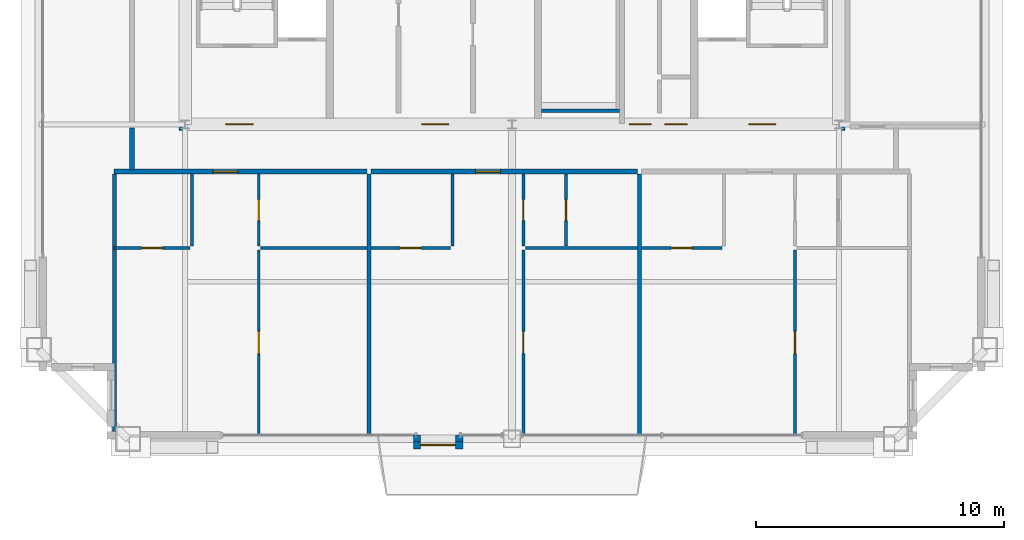
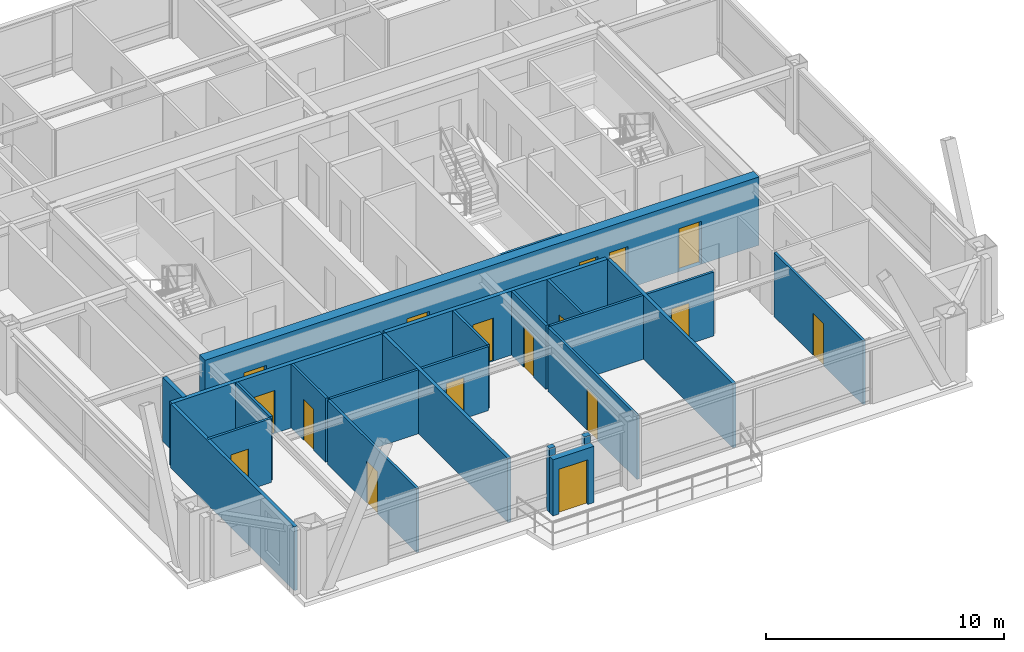
# One storey, part 30 of 35: 24 walls, 17 doors, 17 openings.
"""IFC4 building model written with IfcOpenShell, lengths in metres."""

import ifcopenshell
import ifcopenshell.guid

model = None  # the IFC model being written
_history = None  # IfcOwnerHistory: only IFC2X3 demands one
_inside = {}  # id of a spatial element -> (the spatial element, [elements in it])
_under = {}  # id of a project, library or spatial element -> (it, [spatial elements below it])
_declared = {}  # id of a project -> (the project, [libraries it declares])
_typed = {}  # id of a type object -> (the type object, [elements of that type])
_made_of = {}  # id of a material, layer set ... -> (it, [elements and type objects made of it])


def new_model(schema):
    """Start an empty IFC model of exactly this schema.

    Asked for "IFC4X3", IfcOpenShell would pick the latest addendum, in which some entities
    have other attributes; the version numbers below select the first issue.
    IFC2X3 requires an IfcOwnerHistory on every rooted entity: one is made here for all.
    """
    global model, _history
    if schema == "IFC4X3":
        model = ifcopenshell.file(schema_version=(4, 3, 0, 0))
    else:
        model = ifcopenshell.file(schema=schema)
    _inside.clear()
    _under.clear()
    _declared.clear()
    _typed.clear()
    _made_of.clear()
    _history = None
    if model.schema == "IFC2X3":
        org = make("IfcOrganization", Name="unknown")
        user = make(
            "IfcPersonAndOrganization",
            ThePerson=make("IfcPerson", FamilyName="unknown"),
            TheOrganization=org,
        )
        app = make(
            "IfcApplication",
            ApplicationDeveloper=org,
            Version="unknown",
            ApplicationFullName="unknown",
            ApplicationIdentifier="unknown",
        )
        _history = make(
            "IfcOwnerHistory",
            OwningUser=user,
            OwningApplication=app,
            ChangeAction="ADDED",
            CreationDate=0,
        )
    return model


def make(cls, **values):
    """One entity of the class cls with the attributes given. An attribute that is None is left unset."""
    return model.create_entity(
        cls, **{name: value for name, value in values.items() if value is not None}
    )


def rooted(cls, **values):
    """An entity with a GlobalId (a new one), such as an element, a storey or a relation."""
    return make(cls, GlobalId=ifcopenshell.guid.new(), OwnerHistory=_history, **values)


def si_unit(unit_type, name, prefix=None):
    """IfcSIUnit, for example si_unit("LENGTHUNIT", "METRE", prefix="MILLI")."""
    return make("IfcSIUnit", UnitType=unit_type, Prefix=prefix, Name=name)


def assignment(units):
    """IfcUnitAssignment: the units of a project."""
    return None if units is None else make("IfcUnitAssignment", Units=units)


def point(xyz):
    """IfcCartesianPoint."""
    return None if xyz is None else make("IfcCartesianPoint", Coordinates=xyz)


def direction(xyz):
    """IfcDirection."""
    return None if xyz is None else make("IfcDirection", DirectionRatios=xyz)


def frame(location, z_axis=None, x_axis=None):
    """IfcAxis2Placement3D, a coordinate frame: its origin and axes. An axis left out is left unset."""
    return make(
        "IfcAxis2Placement3D",
        Location=point(location),
        Axis=direction(z_axis),
        RefDirection=direction(x_axis),
    )


def frame_2d(location, x_axis=None):
    """IfcAxis2Placement2D, a coordinate frame in the plane: its origin and x axis."""
    return make(
        "IfcAxis2Placement2D", Location=point(location), RefDirection=direction(x_axis)
    )


def origin():
    """The frame at (0, 0, 0) with its axes left unset."""
    return frame((0.0, 0.0, 0.0))


def place(relative_to, where):
    """IfcLocalPlacement: puts the frame where relative to a parent placement (None: the world)."""
    return make(
        "IfcLocalPlacement", PlacementRelTo=relative_to, RelativePlacement=where
    )


def context(
    kind, dimensions, precision=None, world=None, true_north=None, identifier=None
):
    """IfcGeometricRepresentationContext, for example the 3D "Model" context."""
    return make(
        "IfcGeometricRepresentationContext",
        ContextIdentifier=identifier,
        ContextType=kind,
        CoordinateSpaceDimension=dimensions,
        Precision=precision,
        WorldCoordinateSystem=world,
        TrueNorth=true_north,
    )


def subcontext(parent, identifier, kind, view, scale=None):
    """IfcGeometricRepresentationSubContext, for example "Body" below "Model"."""
    return make(
        "IfcGeometricRepresentationSubContext",
        ContextIdentifier=identifier,
        ContextType=kind,
        ParentContext=parent,
        TargetScale=scale,
        TargetView=view,
    )


def project(units=None, contexts=None):
    """IfcProject with its units and contexts."""
    return rooted(
        "IfcProject",
        Name="project",
        RepresentationContexts=contexts,
        UnitsInContext=assignment(units),
    )


def spatial(cls, under=None, at=None, **own):
    """A site, building, storey or space (cls), placed at a placement, below another one or the project."""
    s = rooted(cls, ObjectPlacement=at, **own)
    if under is not None:
        _under.setdefault(under.id(), (under, []))[1].append(s)
    return s


def profile(cls, at=None, kind="AREA", **sizes):
    """A parametric profile (cls). Its sizes go by their IFC names, for example OverallWidth=200.0."""
    return make(cls, ProfileType=kind, Position=at, **sizes)


def rectangle(**sizes):
    """IfcRectangleProfileDef."""
    return profile("IfcRectangleProfileDef", **sizes)


def extrude(swept, where, along, depth):
    """IfcExtrudedAreaSolid: the profile swept, set in the frame where, extruded along a direction by depth."""
    return make(
        "IfcExtrudedAreaSolid",
        SweptArea=swept,
        Position=where,
        ExtrudedDirection=direction(along),
        Depth=depth,
    )


def shape(context_of_items, identifier, shape_type, items):
    """IfcShapeRepresentation: the items that make up one representation, for example the "Body"."""
    return make(
        "IfcShapeRepresentation",
        ContextOfItems=context_of_items,
        RepresentationIdentifier=identifier,
        RepresentationType=shape_type,
        Items=items,
    )


def source(mapping_origin, context_of_items, identifier, shape_type, items):
    """IfcRepresentationMap: a shape defined once, which mapped items show again and again."""
    return make(
        "IfcRepresentationMap",
        MappingOrigin=mapping_origin,
        MappedRepresentation=shape(context_of_items, identifier, shape_type, items),
    )


def transform(
    local_origin,
    x_axis=None,
    y_axis=None,
    z_axis=None,
    scale=None,
    scale2=None,
    scale3=None,
    uniform=True,
):
    """IfcCartesianTransformationOperator3D, or its non-uniform kind. x_axis, y_axis, z_axis: its Axis1, 2, 3."""
    if uniform:
        return make(
            "IfcCartesianTransformationOperator3D",
            Axis1=direction(x_axis),
            Axis2=direction(y_axis),
            LocalOrigin=point(local_origin),
            Scale=scale,
            Axis3=direction(z_axis),
        )
    return make(
        "IfcCartesianTransformationOperator3DnonUniform",
        Axis1=direction(x_axis),
        Axis2=direction(y_axis),
        LocalOrigin=point(local_origin),
        Scale=scale,
        Axis3=direction(z_axis),
        Scale2=scale2,
        Scale3=scale3,
    )


def mapped(mapping_source, mapping_target):
    """IfcMappedItem: shows the shape of a source again, moved by a transform."""
    return make(
        "IfcMappedItem", MappingSource=mapping_source, MappingTarget=mapping_target
    )


def material(Name=None, Category=None):
    """IfcMaterial."""
    return make("IfcMaterial", Name=Name, Category=Category)


def layer(
    of_material, thickness, ventilated=None, Name=None, Category=None, Priority=None
):
    """IfcMaterialLayer: one layer of a wall or slab, of a material (None: an air gap)."""
    return make(
        "IfcMaterialLayer",
        Material=of_material,
        LayerThickness=thickness,
        IsVentilated=ventilated,
        Name=Name,
        Category=Category,
        Priority=Priority,
    )


def layer_set(layers, Name=None):
    """IfcMaterialLayerSet."""
    return make("IfcMaterialLayerSet", MaterialLayers=layers, LayerSetName=Name)


def made_of(thing, what):
    """Note that an element or type object is made of a material, layer set ...; save() writes the relation."""
    if what is not None:
        _made_of.setdefault(what.id(), (what, []))[1].append(thing)
    return thing


def type_object(cls, material=None, **own):
    """A type object (cls), such as IfcWallType, which elements share."""
    return made_of(rooted(cls, **own), material)


def element(
    cls,
    number,
    at=None,
    inside=None,
    cuts=None,
    type_object=None,
    material=None,
    context=None,
    identifier="Body",
    shape_type=None,
    held_by="IfcProductDefinitionShape",
    body=None,
    shapes=None,
    **own,
):
    """One element of the class cls, such as IfcWall. Its Tag is "e" and its number.

    at: its placement. inside: the storey or other place that contains it. cuts: it is an
    opening in that element (IfcRelVoidsElement). A single representation is given by context,
    identifier, shape_type and body (its items); several are given by shapes. held_by: the class
    of the entity that holds the representations. save() writes the other relations.
    """
    e = rooted(cls, Tag="e%d" % number, ObjectPlacement=at, **own)
    if body is not None:
        shapes = [shape(context, identifier, shape_type, body)]
    if shapes is not None:
        e.Representation = make(held_by, Representations=shapes)
    if inside is not None:
        _inside.setdefault(inside.id(), (inside, []))[1].append(e)
    if cuts is not None:
        rooted(
            "IfcRelVoidsElement", RelatingBuildingElement=cuts, RelatedOpeningElement=e
        )
    if type_object is not None:
        _typed.setdefault(type_object.id(), (type_object, []))[1].append(e)
    return made_of(e, material)


def fill(opening, filler):
    """IfcRelFillsElement: the door or window that sits in an opening."""
    return rooted(
        "IfcRelFillsElement",
        RelatingOpeningElement=opening,
        RelatedBuildingElement=filler,
    )


def aggregate(whole, parts):
    """IfcRelAggregates: a whole, such as a stair, and the parts it consists of."""
    return rooted("IfcRelAggregates", RelatingObject=whole, RelatedObjects=parts)


def save(model, path):
    """Write the relations noted so far, then the file.

    IfcRelAggregates (storeys below a building ...), IfcRelContainedInSpatialStructure (elements
    in a storey), IfcRelDefinesByType, IfcRelAssociatesMaterial and IfcRelDeclares: one each for
    every whole, place, type object, material and project.
    """
    for whole, parts in _under.values():
        aggregate(whole, parts)
    for where, things in _inside.values():
        rooted(
            "IfcRelContainedInSpatialStructure",
            RelatedElements=things,
            RelatingStructure=where,
        )
    for kind, things in _typed.values():
        rooted("IfcRelDefinesByType", RelatedObjects=things, RelatingType=kind)
    for what, things in _made_of.values():
        rooted("IfcRelAssociatesMaterial", RelatedObjects=things, RelatingMaterial=what)
    for by, libraries in _declared.values():
        rooted("IfcRelDeclares", RelatingContext=by, RelatedDefinitions=libraries)
    model.write(path)


model = new_model("IFC4")

# Units and contexts
model_context = context("Model", 3, precision=1e-05, world=origin(), true_north=direction((0.0, 1.0)))
body_context = subcontext(model_context, "Body", "Model", "MODEL_VIEW")
ifc_project = project(units=[si_unit("LENGTHUNIT", "METRE"), si_unit("AREAUNIT", "SQUARE_METRE"), si_unit("VOLUMEUNIT", "CUBIC_METRE"), si_unit("PLANEANGLEUNIT", "RADIAN"), si_unit("MASSUNIT", "GRAM", prefix="KILO"), si_unit("THERMODYNAMICTEMPERATUREUNIT", "KELVIN"), si_unit("POWERUNIT", "WATT")], contexts=[model_context])

# Site, building, storey
site_placement = place(None, origin())
site = spatial("IfcSite", under=ifc_project, at=site_placement, CompositionType="ELEMENT")
building_placement = place(site_placement, origin())
building = spatial("IfcBuilding", under=site, at=building_placement, Name="Yuzanri Waterfront Tower", CompositionType="ELEMENT")
storey_placement = place(building_placement, frame((0.0, 0.0, 314.699951171875)))
storey = spatial("IfcBuildingStorey", under=building, at=storey_placement, Name="L84", CompositionType="ELEMENT", Elevation=314.699951171875)

# Wall, opening, door
ifc_material_1 = material(Name="Moisture-Resistant Gypsum Stud Wall", Category="gypsum")
ifc_layer_1 = layer(ifc_material_1, 0.1201171875)
ifc_layer_set_1 = layer_set([ifc_layer_1], Name="Moisture-Resistant Gypsum Stud Wall")
wall_type_1 = type_object("IfcWallType", Name="Bathroom and Kitchen Wet Partition 120", PredefinedType="PARTITIONING", material=ifc_layer_set_1)
wall_1_placement = place(storey_placement, frame((20.93994140625, 14.409912109375, 0.0), z_axis=(0.0, 0.0, 1.0), x_axis=(1.0, 0.0, 0.0)))
wall_1 = element("IfcWall", 1, at=wall_1_placement, inside=storey, type_object=wall_type_1, Name="L84 Partition UW-L84-HS1-SUB-1-S", PredefinedType="PARTITIONING", context=body_context, shape_type="SweptSolid", body=[
    extrude(rectangle(XDim=3.05908203125, YDim=0.1201171875, at=frame_2d((1.529541015625, 0.0))), origin(), (0.0, 0.0, 1.0), 3.280029296875),
])
opening_1_placement = place(wall_1_placement, frame((1.1044921875, 0.0, 0.0)))
opening_1 = element("IfcOpeningElement", 2, at=opening_1_placement, cuts=wall_1, Name="Opening ID-0850", PredefinedType="OPENING", context=body_context, shape_type="SweptSolid", body=[
    extrude(rectangle(XDim=0.85009765625, YDim=2.10009765625, at=frame_2d((0.425048828125, 1.050048828125))), frame((0.0, 0.074951171875, 0.0), z_axis=(0.0, -1.0, 0.0), x_axis=(1.0, 0.0, 0.0)), (0.0, 0.0, 1.0), 0.14990234375),
])
ifc_material_2 = material(Name="Moisture-Resistant Lacquered Timber", Category="wood")
door_type_1 = type_object("IfcDoorType", Name="En-Suite Bathroom and Kitchen Swing Door 850x2100", OperationType="NOTDEFINED", PredefinedType="DOOR", material=ifc_material_2)
shared_shape_1 = source(origin(), body_context, "Body", "SweptSolid", [
    extrude(rectangle(XDim=0.85009765625, YDim=2.10009765625, at=frame_2d((0.425048828125, 1.050048828125))), frame((0.0, 0.02490234375, 0.0), z_axis=(0.0, -1.0, 0.0), x_axis=(1.0, 0.0, 0.0)), (0.0, 0.0, 1.0), 0.050048828125),
])
door_1_placement = place(opening_1_placement, origin())
door_1 = element("IfcDoor", 3, at=door_1_placement, inside=storey, type_object=door_type_1, Name="L84 Suite Interior Room Door", OperationType="SINGLE_SWING_LEFT", OverallHeight=2.10009765625, OverallWidth=0.85009765625, PredefinedType="DOOR", context=body_context, shape_type="MappedRepresentation", body=[
    mapped(shared_shape_1, transform((0.0, 0.0, 0.0), scale=1.0)),
])
fill(opening_1, door_1)

wall_2_placement = place(storey_placement, frame((26.77490234375, 14.489990234375, 0.0), z_axis=(0.0, 0.0, 1.0), x_axis=(0.0, 1.0, 0.0)))
wall_2 = element("IfcWall", 4, at=wall_2_placement, inside=storey, type_object=wall_type_1, Name="L84 Partition UW-L84-HS1-SUB-2-W", PredefinedType="PARTITIONING", context=body_context, shape_type="SweptSolid", body=[
    extrude(rectangle(XDim=2.89990234375, YDim=0.1201171875, at=frame_2d((1.449951171875, 0.0))), origin(), (0.0, 0.0, 1.0), 3.280029296875),
])
opening_2_placement = place(wall_2_placement, frame((1.02490234375, 0.0, 0.0)))
opening_2 = element("IfcOpeningElement", 5, at=opening_2_placement, cuts=wall_2, Name="Opening ID-0850", PredefinedType="OPENING", context=body_context, shape_type="SweptSolid", body=[
    extrude(rectangle(XDim=0.85009765625, YDim=2.10009765625, at=frame_2d((0.425048828125, 1.050048828125))), frame((0.0, 0.074951171875, 0.0), z_axis=(0.0, -1.0, 0.0), x_axis=(1.0, 0.0, 0.0)), (0.0, 0.0, 1.0), 0.14990234375),
])
door_2_placement = place(opening_2_placement, origin())
door_2 = element("IfcDoor", 6, at=door_2_placement, inside=storey, type_object=door_type_1, Name="L84 Suite Interior Room Door", OperationType="SINGLE_SWING_RIGHT", OverallHeight=2.10009765625, OverallWidth=0.85009765625, PredefinedType="DOOR", context=body_context, shape_type="MappedRepresentation", body=[
    mapped(shared_shape_1, transform((0.0, 0.0, 0.0), scale=1.0)),
])
fill(opening_2, door_2)

wall_3_placement = place(storey_placement, frame((26.77490234375, 6.85009765625, 0.0), z_axis=(0.0, 0.0, 1.0), x_axis=(0.0, 1.0, 0.0)))
wall_3 = element("IfcWall", 7, at=wall_3_placement, inside=storey, type_object=wall_type_1, Name="L84 Partition UW-L84-HS1-SUB-3-W", PredefinedType="PARTITIONING", context=body_context, shape_type="SweptSolid", body=[
    extrude(rectangle(XDim=7.47998046875, YDim=0.1201171875, at=frame_2d((3.739990234375, 0.0))), origin(), (0.0, 0.0, 1.0), 3.280029296875),
])
opening_3_placement = place(wall_3_placement, frame((3.2900390625, 0.0, 0.0)))
opening_3 = element("IfcOpeningElement", 8, at=opening_3_placement, cuts=wall_3, Name="Opening ID-0900", PredefinedType="OPENING", context=body_context, shape_type="SweptSolid", body=[
    extrude(rectangle(XDim=0.89990234375, YDim=2.14990234375, at=frame_2d((0.449951171875, 1.074951171875))), frame((0.0, 0.074951171875, 0.0), z_axis=(0.0, -1.0, 0.0), x_axis=(1.0, 0.0, 0.0)), (0.0, 0.0, 1.0), 0.14990234375),
])
ifc_material_3 = material(Name="Stained Walnut Veneer Timber", Category="wood")
door_type_2 = type_object("IfcDoorType", Name="Bedroom and Study Interior Swing Door 900x2150", OperationType="NOTDEFINED", PredefinedType="DOOR", material=ifc_material_3)
shared_shape_2 = source(origin(), body_context, "Body", "SweptSolid", [
    extrude(rectangle(XDim=0.89990234375, YDim=2.14990234375, at=frame_2d((0.449951171875, 1.074951171875))), frame((0.0, 0.02490234375, 0.0), z_axis=(0.0, -1.0, 0.0), x_axis=(1.0, 0.0, 0.0)), (0.0, 0.0, 1.0), 0.050048828125),
])
door_3_placement = place(opening_3_placement, origin())
door_3 = element("IfcDoor", 9, at=door_3_placement, inside=storey, type_object=door_type_2, Name="L84 Suite Interior Room Door", OperationType="SINGLE_SWING_LEFT", OverallHeight=2.14990234375, OverallWidth=0.89990234375, PredefinedType="DOOR", context=body_context, shape_type="MappedRepresentation", body=[
    mapped(shared_shape_2, transform((0.0, 0.0, 0.0), scale=1.0)),
])
fill(opening_3, door_3)

wall_4_placement = place(storey_placement, frame((31.298095703125, 14.409912109375, 0.0), z_axis=(0.0, 0.0, 1.0), x_axis=(1.0, 0.0, 0.0)))
wall_4 = element("IfcWall", 10, at=wall_4_placement, inside=storey, type_object=wall_type_1, Name="L84 Partition UW-L84-HS2-SUB-1-S", PredefinedType="PARTITIONING", context=body_context, shape_type="SweptSolid", body=[
    extrude(rectangle(XDim=3.227783203125, YDim=0.1201171875, at=frame_2d((1.61376953125, 0.0))), origin(), (0.0, 0.0, 1.0), 3.280029296875),
])
opening_4_placement = place(wall_4_placement, frame((1.18896484375, 0.0, 0.0)))
opening_4 = element("IfcOpeningElement", 11, at=opening_4_placement, cuts=wall_4, Name="Opening ID-0850", PredefinedType="OPENING", context=body_context, shape_type="SweptSolid", body=[
    extrude(rectangle(XDim=0.85009765625, YDim=2.10009765625, at=frame_2d((0.425048828125, 1.050048828125))), frame((0.0, 0.074951171875, 0.0), z_axis=(0.0, -1.0, 0.0), x_axis=(1.0, 0.0, 0.0)), (0.0, 0.0, 1.0), 0.14990234375),
])
door_4_placement = place(opening_4_placement, origin())
door_4 = element("IfcDoor", 12, at=door_4_placement, inside=storey, type_object=door_type_1, Name="L84 Suite Interior Room Door", OperationType="SINGLE_SWING_LEFT", OverallHeight=2.10009765625, OverallWidth=0.85009765625, PredefinedType="DOOR", context=body_context, shape_type="MappedRepresentation", body=[
    mapped(shared_shape_1, transform((0.0, 0.0, 0.0), scale=1.0)),
])
fill(opening_4, door_4)

wall_5_placement = place(storey_placement, frame((39.178955078125, 14.489990234375, 0.0), z_axis=(0.0, 0.0, 1.0), x_axis=(0.0, 1.0, 0.0)))
wall_5 = element("IfcWall", 13, at=wall_5_placement, inside=storey, type_object=wall_type_1, Name="L84 Partition UW-L84-HS2-SUB-2-W", PredefinedType="PARTITIONING", context=body_context, shape_type="SweptSolid", body=[
    extrude(rectangle(XDim=2.89990234375, YDim=0.1201171875, at=frame_2d((1.449951171875, 0.0))), origin(), (0.0, 0.0, 1.0), 3.280029296875),
])
opening_5_placement = place(wall_5_placement, frame((1.02490234375, 0.0, 0.0)))
opening_5 = element("IfcOpeningElement", 14, at=opening_5_placement, cuts=wall_5, Name="Opening ID-0850", PredefinedType="OPENING", context=body_context, shape_type="SweptSolid", body=[
    extrude(rectangle(XDim=0.85009765625, YDim=2.10009765625, at=frame_2d((0.425048828125, 1.050048828125))), frame((0.0, 0.074951171875, 0.0), z_axis=(0.0, -1.0, 0.0), x_axis=(1.0, 0.0, 0.0)), (0.0, 0.0, 1.0), 0.14990234375),
])
door_5_placement = place(opening_5_placement, origin())
door_5 = element("IfcDoor", 15, at=door_5_placement, inside=storey, type_object=door_type_1, Name="L84 Suite Interior Room Door", OperationType="SINGLE_SWING_RIGHT", OverallHeight=2.10009765625, OverallWidth=0.85009765625, PredefinedType="DOOR", context=body_context, shape_type="MappedRepresentation", body=[
    mapped(shared_shape_1, transform((0.0, 0.0, 0.0), scale=1.0)),
])
fill(opening_5, door_5)

wall_6_placement = place(storey_placement, frame((37.458984375, 6.85009765625, 0.0), z_axis=(0.0, 0.0, 1.0), x_axis=(0.0, 1.0, 0.0)))
wall_6 = element("IfcWall", 16, at=wall_6_placement, inside=storey, type_object=wall_type_1, Name="L84 Partition UW-L84-HS2-SUB-3-W", PredefinedType="PARTITIONING", context=body_context, shape_type="SweptSolid", body=[
    extrude(rectangle(XDim=7.47998046875, YDim=0.1201171875, at=frame_2d((3.739990234375, 0.0))), origin(), (0.0, 0.0, 1.0), 3.280029296875),
])
opening_6_placement = place(wall_6_placement, frame((3.2900390625, 0.0, 0.0)))
opening_6 = element("IfcOpeningElement", 17, at=opening_6_placement, cuts=wall_6, Name="Opening ID-0900", PredefinedType="OPENING", context=body_context, shape_type="SweptSolid", body=[
    extrude(rectangle(XDim=0.89990234375, YDim=2.14990234375, at=frame_2d((0.449951171875, 1.074951171875))), frame((0.0, 0.074951171875, 0.0), z_axis=(0.0, -1.0, 0.0), x_axis=(1.0, 0.0, 0.0)), (0.0, 0.0, 1.0), 0.14990234375),
])
door_6_placement = place(opening_6_placement, origin())
door_6 = element("IfcDoor", 18, at=door_6_placement, inside=storey, type_object=door_type_2, Name="L84 Suite Interior Room Door", OperationType="SINGLE_SWING_LEFT", OverallHeight=2.14990234375, OverallWidth=0.89990234375, PredefinedType="DOOR", context=body_context, shape_type="MappedRepresentation", body=[
    mapped(shared_shape_2, transform((0.0, 0.0, 0.0), scale=1.0)),
])
fill(opening_6, door_6)

wall_7_placement = place(storey_placement, frame((37.458984375, 14.489990234375, 0.0), z_axis=(0.0, 0.0, 1.0), x_axis=(0.0, 1.0, 0.0)))
wall_7 = element("IfcWall", 19, at=wall_7_placement, inside=storey, type_object=wall_type_1, Name="L84 Partition UW-L84-HS2-SUB-4-W", PredefinedType="PARTITIONING", context=body_context, shape_type="SweptSolid", body=[
    extrude(rectangle(XDim=2.89990234375, YDim=0.1201171875, at=frame_2d((1.449951171875, 0.0))), origin(), (0.0, 0.0, 1.0), 3.280029296875),
])
opening_7_placement = place(wall_7_placement, frame((1.02490234375, 0.0, 0.0)))
opening_7 = element("IfcOpeningElement", 20, at=opening_7_placement, cuts=wall_7, Name="Opening ID-0850", PredefinedType="OPENING", context=body_context, shape_type="SweptSolid", body=[
    extrude(rectangle(XDim=0.85009765625, YDim=2.10009765625, at=frame_2d((0.425048828125, 1.050048828125))), frame((0.0, 0.074951171875, 0.0), z_axis=(0.0, -1.0, 0.0), x_axis=(1.0, 0.0, 0.0)), (0.0, 0.0, 1.0), 0.14990234375),
])
door_7_placement = place(opening_7_placement, origin())
door_7 = element("IfcDoor", 21, at=door_7_placement, inside=storey, type_object=door_type_1, Name="L84 Suite Interior Room Door", OperationType="SINGLE_SWING_RIGHT", OverallHeight=2.10009765625, OverallWidth=0.85009765625, PredefinedType="DOOR", context=body_context, shape_type="MappedRepresentation", body=[
    mapped(shared_shape_1, transform((0.0, 0.0, 0.0), scale=1.0)),
])
fill(opening_7, door_7)

wall_8_placement = place(storey_placement, frame((42.218994140625, 14.409912109375, 0.0), z_axis=(0.0, 0.0, 1.0), x_axis=(1.0, 0.0, 0.0)))
wall_8 = element("IfcWall", 22, at=wall_8_placement, inside=storey, type_object=wall_type_1, Name="L84 Partition UW-L84-HS3-SUB-1-S", PredefinedType="PARTITIONING", context=body_context, shape_type="SweptSolid", body=[
    extrude(rectangle(XDim=3.251953125, YDim=0.1201171875, at=frame_2d((1.6259765625, 0.0))), origin(), (0.0, 0.0, 1.0), 3.280029296875),
])
opening_8_placement = place(wall_8_placement, frame((1.200927734375, 0.0, 0.0)))
opening_8 = element("IfcOpeningElement", 23, at=opening_8_placement, cuts=wall_8, Name="Opening ID-0850", PredefinedType="OPENING", context=body_context, shape_type="SweptSolid", body=[
    extrude(rectangle(XDim=0.85009765625, YDim=2.10009765625, at=frame_2d((0.425048828125, 1.050048828125))), frame((0.0, 0.074951171875, 0.0), z_axis=(0.0, -1.0, 0.0), x_axis=(1.0, 0.0, 0.0)), (0.0, 0.0, 1.0), 0.14990234375),
])
door_8_placement = place(opening_8_placement, origin())
door_8 = element("IfcDoor", 24, at=door_8_placement, inside=storey, type_object=door_type_1, Name="L84 Suite Interior Room Door", OperationType="SINGLE_SWING_RIGHT", OverallHeight=2.10009765625, OverallWidth=0.85009765625, PredefinedType="DOOR", context=body_context, shape_type="MappedRepresentation", body=[
    mapped(shared_shape_1, transform((0.0, 0.0, 0.0), scale=1.0)),
])
fill(opening_8, door_8)

wall_9_placement = place(storey_placement, frame((48.427001953125, 6.85009765625, 0.0), z_axis=(0.0, 0.0, 1.0), x_axis=(0.0, 1.0, 0.0)))
wall_9 = element("IfcWall", 25, at=wall_9_placement, inside=storey, type_object=wall_type_1, Name="L84 Partition UW-L84-HS3-SUB-3-W", PredefinedType="PARTITIONING", context=body_context, shape_type="SweptSolid", body=[
    extrude(rectangle(XDim=7.47998046875, YDim=0.1201171875, at=frame_2d((3.739990234375, 0.0))), origin(), (0.0, 0.0, 1.0), 3.280029296875),
])
opening_9_placement = place(wall_9_placement, frame((3.2900390625, 0.0, 0.0)))
opening_9 = element("IfcOpeningElement", 26, at=opening_9_placement, cuts=wall_9, Name="Opening ID-0900", PredefinedType="OPENING", context=body_context, shape_type="SweptSolid", body=[
    extrude(rectangle(XDim=0.89990234375, YDim=2.14990234375, at=frame_2d((0.449951171875, 1.074951171875))), frame((0.0, 0.074951171875, 0.0), z_axis=(0.0, -1.0, 0.0), x_axis=(1.0, 0.0, 0.0)), (0.0, 0.0, 1.0), 0.14990234375),
])
door_9_placement = place(opening_9_placement, origin())
door_9 = element("IfcDoor", 27, at=door_9_placement, inside=storey, type_object=door_type_2, Name="L84 Suite Interior Room Door", OperationType="SINGLE_SWING_RIGHT", OverallHeight=2.14990234375, OverallWidth=0.89990234375, PredefinedType="DOOR", context=body_context, shape_type="MappedRepresentation", body=[
    mapped(shared_shape_2, transform((0.0, 0.0, 0.0), scale=1.0)),
])
fill(opening_9, door_9)

ifc_material_4 = material(Name="Honed Chongqing Dark Basalt Stone", Category="masonry")
ifc_layer_2 = layer(ifc_material_4, 0.300048828125)
ifc_layer_set_2 = layer_set([ifc_layer_2], Name="Honed Chongqing Dark Basalt Stone")
wall_type_2 = type_object("IfcWallType", Name="Bronze Rainscreen Insulated Spandrel Portal Wall 300", PredefinedType="SOLIDWALL", material=ifc_layer_set_2)
wall_10_placement = place(storey_placement, frame((33.014892578125, 6.449951171875, 0.0), z_axis=(0.0, 0.0, 1.0), x_axis=(1.0, 0.0, 0.0)))
wall_10 = element("IfcWall", 28, at=wall_10_placement, inside=storey, type_object=wall_type_2, Name="L84 S Terrace Door Portal Wall", PredefinedType="SOLIDWALL", context=body_context, shape_type="SweptSolid", body=[
    extrude(rectangle(XDim=2.0, YDim=0.300048828125, at=frame_2d((1.0, 0.0))), origin(), (0.0, 0.0, 1.0), 2.885009765625),
])
opening_10_placement = place(wall_10_placement, frame((0.300048828125, 0.0, 0.0)))
opening_10 = element("IfcOpeningElement", 29, at=opening_10_placement, cuts=wall_10, Name="Opening TD-1400", PredefinedType="OPENING", context=body_context, shape_type="SweptSolid", body=[
    extrude(rectangle(XDim=1.39990234375, YDim=2.300048828125, at=frame_2d((0.699951171875, 1.14990234375))), frame((0.0, 0.1650390625, 0.0), z_axis=(0.0, -1.0, 0.0), x_axis=(1.0, 0.0, 0.0)), (0.0, 0.0, 1.0), 0.329833984375),
])
ifc_material_5 = material(Name="Anodized Architectural Bronze", Category="metal")
door_type_3 = type_object("IfcDoorType", Name="Anodized Bronze Balcony and Terrace Glazed Double Door 1400x2300", OperationType="NOTDEFINED", PredefinedType="DOOR", material=ifc_material_5)
shared_shape_3 = source(origin(), body_context, "Body", "SweptSolid", [
    extrude(rectangle(XDim=1.39990234375, YDim=2.300048828125, at=frame_2d((0.699951171875, 1.14990234375))), frame((0.0, 0.02490234375, 0.0), z_axis=(0.0, -1.0, 0.0), x_axis=(1.0, 0.0, 0.0)), (0.0, 0.0, 1.0), 0.050048828125),
])
door_10_placement = place(opening_10_placement, origin())
door_10 = element("IfcDoor", 30, at=door_10_placement, inside=storey, type_object=door_type_3, Name="L84 S Terrace Glazed Double Door", OperationType="DOUBLE_DOOR_SINGLE_SWING", OverallHeight=2.300048828125, OverallWidth=1.39990234375, PredefinedType="DOOR", context=body_context, shape_type="MappedRepresentation", body=[
    mapped(shared_shape_3, transform((0.0, 0.0, 0.0), scale=1.0)),
])
fill(opening_10, door_10)

# Wall, openings, doors
ifc_material_6 = material(Name="Concrete C45", Category="concrete")
ifc_layer_3 = layer(ifc_material_6, 0.47998046875)
ifc_layer_set_3 = layer_set([ifc_layer_3], Name="Concrete C45")
wall_type_3 = type_object("IfcWallType", Name="Concrete C45 High-Rise Core Shear Wall 480", PredefinedType="SHEAR", material=ifc_layer_set_3)
wall_11_placement = place(storey_placement, frame((23.56005859375, 19.39990234375, 0.0), z_axis=(0.0, 0.0, 1.0), x_axis=(1.0, 0.0, 0.0)))
wall_11 = element("IfcWall", 31, at=wall_11_placement, inside=storey, type_object=wall_type_3, Name="L84 Core South Shear Wall", PredefinedType="SHEAR", context=body_context, shape_type="SweptSolid", body=[
    extrude(rectangle(XDim=26.8798828125, YDim=0.47998046875, at=frame_2d((13.43994140625, 0.0))), origin(), (0.0, 0.0, 1.0), 3.5),
])
opening_11_placement = place(wall_11_placement, frame((1.889892578125, 0.0, 0.0)))
opening_11 = element("IfcOpeningElement", 32, at=opening_11_placement, cuts=wall_11, Name="Opening FD-1100", PredefinedType="OPENING", context=body_context, shape_type="SweptSolid", body=[
    extrude(rectangle(XDim=1.10009765625, YDim=2.199951171875, at=frame_2d((0.550048828125, 1.10009765625))), frame((0.0, 0.2548828125, 0.0), z_axis=(0.0, -1.0, 0.0), x_axis=(1.0, 0.0, 0.0)), (0.0, 0.0, 1.0), 0.509765625),
])
opening_12_placement = place(wall_11_placement, frame((9.7900390625, 0.0, 0.0)))
opening_12 = element("IfcOpeningElement", 33, at=opening_12_placement, cuts=wall_11, Name="Opening FD-1100", PredefinedType="OPENING", context=body_context, shape_type="SweptSolid", body=[
    extrude(rectangle(XDim=1.10009765625, YDim=2.199951171875, at=frame_2d((0.550048828125, 1.10009765625))), frame((0.0, 0.2548828125, 0.0), z_axis=(0.0, -1.0, 0.0), x_axis=(1.0, 0.0, 0.0)), (0.0, 0.0, 1.0), 0.509765625),
])
opening_13_placement = place(wall_11_placement, frame((22.989990234375, 0.0, 0.0)))
opening_13 = element("IfcOpeningElement", 34, at=opening_13_placement, cuts=wall_11, Name="Opening FD-1100", PredefinedType="OPENING", context=body_context, shape_type="SweptSolid", body=[
    extrude(rectangle(XDim=1.10009765625, YDim=2.199951171875, at=frame_2d((0.550048828125, 1.10009765625))), frame((0.0, 0.2548828125, 0.0), z_axis=(0.0, -1.0, 0.0), x_axis=(1.0, 0.0, 0.0)), (0.0, 0.0, 1.0), 0.509765625),
])
opening_14_placement = place(wall_11_placement, frame((19.610107421875, 0.0, 0.0)))
opening_14 = element("IfcOpeningElement", 35, at=opening_14_placement, cuts=wall_11, Name="Opening FD-0900", PredefinedType="OPENING", context=body_context, shape_type="SweptSolid", body=[
    extrude(rectangle(XDim=0.89990234375, YDim=2.14990234375, at=frame_2d((0.449951171875, 1.074951171875))), frame((0.0, 0.2548828125, 0.0), z_axis=(0.0, -1.0, 0.0), x_axis=(1.0, 0.0, 0.0)), (0.0, 0.0, 1.0), 0.509765625),
])
opening_15_placement = place(wall_11_placement, frame((18.169921875, 0.0, 0.0)))
opening_15 = element("IfcOpeningElement", 36, at=opening_15_placement, cuts=wall_11, Name="Opening FD-0900", PredefinedType="OPENING", context=body_context, shape_type="SweptSolid", body=[
    extrude(rectangle(XDim=0.89990234375, YDim=2.14990234375, at=frame_2d((0.449951171875, 1.074951171875))), frame((0.0, 0.2548828125, 0.0), z_axis=(0.0, -1.0, 0.0), x_axis=(1.0, 0.0, 0.0)), (0.0, 0.0, 1.0), 0.509765625),
])
ifc_material_7 = material(Name="Painted Galvanized Fire Steel", Category="steel")
door_type_4 = type_object("IfcDoorType", Name="Smoke-Proof Stair and Lobby Fire Door 1100x2200", OperationType="NOTDEFINED", PredefinedType="DOOR", material=ifc_material_7)
shared_shape_4 = source(origin(), body_context, "Body", "SweptSolid", [
    extrude(rectangle(XDim=1.10009765625, YDim=2.199951171875, at=frame_2d((0.550048828125, 1.10009765625))), frame((0.0, 0.02490234375, 0.0), z_axis=(0.0, -1.0, 0.0), x_axis=(1.0, 0.0, 0.0)), (0.0, 0.0, 1.0), 0.050048828125),
])
door_11_placement = place(opening_11_placement, origin())
door_11 = element("IfcDoor", 37, at=door_11_placement, inside=storey, type_object=door_type_4, Name="L84 West Firefighting Lobby Door", OperationType="SINGLE_SWING_LEFT", OverallHeight=2.199951171875, OverallWidth=1.10009765625, PredefinedType="DOOR", context=body_context, shape_type="MappedRepresentation", body=[
    mapped(shared_shape_4, transform((0.0, 0.0, 0.0), scale=1.0)),
])
fill(opening_11, door_11)
door_12_placement = place(opening_12_placement, origin())
door_12 = element("IfcDoor", 38, at=door_12_placement, inside=storey, type_object=door_type_4, Name="L84 Central Lift Lobby South Door", OperationType="SINGLE_SWING_RIGHT", OverallHeight=2.199951171875, OverallWidth=1.10009765625, PredefinedType="DOOR", context=body_context, shape_type="MappedRepresentation", body=[
    mapped(shared_shape_4, transform((0.0, 0.0, 0.0), scale=1.0)),
])
fill(opening_12, door_12)
door_13_placement = place(opening_13_placement, origin())
door_13 = element("IfcDoor", 39, at=door_13_placement, inside=storey, type_object=door_type_4, Name="L84 East Firefighting Lobby Door", OperationType="SINGLE_SWING_LEFT", OverallHeight=2.199951171875, OverallWidth=1.10009765625, PredefinedType="DOOR", context=body_context, shape_type="MappedRepresentation", body=[
    mapped(shared_shape_4, transform((0.0, 0.0, 0.0), scale=1.0)),
])
fill(opening_13, door_13)
ifc_material_8 = material(Name="Painted Galvanized Fire Steel", Category="steel")
door_type_5 = type_object("IfcDoorType", Name="Riser and Service Room Fire Door 900x2150", OperationType="NOTDEFINED", PredefinedType="DOOR", material=ifc_material_8)
shared_shape_5 = source(origin(), body_context, "Body", "SweptSolid", [
    extrude(rectangle(XDim=0.89990234375, YDim=2.14990234375, at=frame_2d((0.449951171875, 1.074951171875))), frame((0.0, 0.02490234375, 0.0), z_axis=(0.0, -1.0, 0.0), x_axis=(1.0, 0.0, 0.0)), (0.0, 0.0, 1.0), 0.050048828125),
])
door_14_placement = place(opening_14_placement, origin())
door_14 = element("IfcDoor", 40, at=door_14_placement, inside=storey, type_object=door_type_5, Name="L84 East Wet Riser Door", OperationType="SINGLE_SWING_LEFT", OverallHeight=2.14990234375, OverallWidth=0.89990234375, PredefinedType="DOOR", context=body_context, shape_type="MappedRepresentation", body=[
    mapped(shared_shape_5, transform((0.0, 0.0, 0.0), scale=1.0)),
])
fill(opening_14, door_14)
door_15_placement = place(opening_15_placement, origin())
door_15 = element("IfcDoor", 41, at=door_15_placement, inside=storey, type_object=door_type_5, Name="L84 Cleaners Store Room", OperationType="SINGLE_SWING_RIGHT", OverallHeight=2.14990234375, OverallWidth=0.89990234375, PredefinedType="DOOR", context=body_context, shape_type="MappedRepresentation", body=[
    mapped(shared_shape_5, transform((0.0, 0.0, 0.0), scale=1.0)),
])
fill(opening_15, door_15)

# Wall, opening, door
ifc_material_9 = material(Name="Autoclaved Aerated Concrete Blockwork", Category="masonry")
ifc_layer_4 = layer(ifc_material_9, 0.199951171875)
ifc_layer_set_4 = layer_set([ifc_layer_4], Name="Autoclaved Aerated Concrete Blockwork")
wall_type_4 = type_object("IfcWallType", Name="Corridor and Unit Party Fire Wall 200", PredefinedType="PARTITIONING", material=ifc_layer_set_4)
wall_12_placement = place(storey_placement, frame((20.93994140625, 17.489990234375, 0.0), z_axis=(0.0, 0.0, 1.0), x_axis=(1.0, 0.0, 0.0)))
wall_12 = element("IfcWall", 42, at=wall_12_placement, inside=storey, type_object=wall_type_4, Name="L84 Partition UW-L84-HS1-CN", PredefinedType="PARTITIONING", context=body_context, shape_type="SweptSolid", body=[
    extrude(rectangle(XDim=10.197998046875, YDim=0.199951171875, at=frame_2d((5.09912109375, 0.0))), origin(), (0.0, 0.0, 1.0), 3.280029296875),
])
opening_16_placement = place(wall_12_placement, frame((3.987060546875, 0.0, 0.0)))
opening_16 = element("IfcOpeningElement", 43, at=opening_16_placement, cuts=wall_12, Name="Opening FD-1000", PredefinedType="OPENING", context=body_context, shape_type="SweptSolid", body=[
    extrude(rectangle(XDim=1.0, YDim=2.199951171875, at=frame_2d((0.5, 1.10009765625))), frame((0.0, 0.11474609375, 0.0), z_axis=(0.0, -1.0, 0.0), x_axis=(1.0, 0.0, 0.0)), (0.0, 0.0, 1.0), 0.229736328125),
])
ifc_material_10 = material(Name="Engineered Oak Fire-Rated Timber", Category="wood")
door_type_6 = type_object("IfcDoorType", Name="Guestroom and Apartment Entrance Fire Door 1000x2200", OperationType="NOTDEFINED", PredefinedType="DOOR", material=ifc_material_10)
shared_shape_6 = source(origin(), body_context, "Body", "SweptSolid", [
    extrude(rectangle(XDim=1.0, YDim=2.199951171875, at=frame_2d((0.5, 1.10009765625))), frame((0.0, 0.02490234375, 0.0), z_axis=(0.0, -1.0, 0.0), x_axis=(1.0, 0.0, 0.0)), (0.0, 0.0, 1.0), 0.050048828125),
])
door_16_placement = place(opening_16_placement, origin())
door_16 = element("IfcDoor", 44, at=door_16_placement, inside=storey, type_object=door_type_6, Name="L84 Apartment Living Room Entrance Door", OperationType="SINGLE_SWING_RIGHT", OverallHeight=2.199951171875, OverallWidth=1.0, PredefinedType="DOOR", context=body_context, shape_type="MappedRepresentation", body=[
    mapped(shared_shape_6, transform((0.0, 0.0, 0.0), scale=1.0)),
])
fill(opening_16, door_16)

wall_13_placement = place(storey_placement, frame((31.298095703125, 17.489990234375, 0.0), z_axis=(0.0, 0.0, 1.0), x_axis=(1.0, 0.0, 0.0)))
wall_13 = element("IfcWall", 45, at=wall_13_placement, inside=storey, type_object=wall_type_4, Name="L84 Partition UW-L84-HS2-CN", PredefinedType="PARTITIONING", context=body_context, shape_type="SweptSolid", body=[
    extrude(rectangle(XDim=10.760986328125, YDim=0.199951171875, at=frame_2d((5.38037109375, 0.0))), origin(), (0.0, 0.0, 1.0), 3.280029296875),
])
opening_17_placement = place(wall_13_placement, frame((4.23388671875, 0.0, 0.0)))
opening_17 = element("IfcOpeningElement", 46, at=opening_17_placement, cuts=wall_13, Name="Opening FD-1000", PredefinedType="OPENING", context=body_context, shape_type="SweptSolid", body=[
    extrude(rectangle(XDim=1.0, YDim=2.199951171875, at=frame_2d((0.5, 1.10009765625))), frame((0.0, 0.11474609375, 0.0), z_axis=(0.0, -1.0, 0.0), x_axis=(1.0, 0.0, 0.0)), (0.0, 0.0, 1.0), 0.229736328125),
])
door_17_placement = place(opening_17_placement, origin())
door_17 = element("IfcDoor", 47, at=door_17_placement, inside=storey, type_object=door_type_6, Name="L84 Apartment Living Room Entrance Door", OperationType="SINGLE_SWING_RIGHT", OverallHeight=2.199951171875, OverallWidth=1.0, PredefinedType="DOOR", context=body_context, shape_type="MappedRepresentation", body=[
    mapped(shared_shape_6, transform((0.0, 0.0, 0.0), scale=1.0)),
])
fill(opening_17, door_17)

# Walls
shared_shape_7 = source(origin(), body_context, "Body", "SweptSolid", [
    extrude(rectangle(XDim=0.25, YDim=0.300048828125, at=frame_2d((0.125, 0.0))), origin(), (0.0, 0.0, 1.0), 3.280029296875),
])
for number, where, z_axis, x_axis, name in (
    (48, (33.1650390625, 6.85009765625, 0.0), (0.0, 0.0, 1.0), (0.0, -1.0, 0.0), "L84 S Terrace Portal Left Return"),
    (49, (34.864990234375, 6.60009765625, 0.0), (0.0, 0.0, 1.0), (0.0, 1.0, 0.0), "L84 S Terrace Portal Right Return"),
):
    element("IfcWall", number, at=place(storey_placement, frame(where, z_axis=z_axis, x_axis=x_axis)), inside=storey, type_object=wall_type_2, Name=name, PredefinedType="SOLIDWALL", context=body_context, shape_type="MappedRepresentation", body=[
        mapped(shared_shape_7, transform((0.0, 0.0, 0.0), scale=1.0)),
    ])
ifc_material_11 = material(Name="Concrete C40", Category="concrete")
ifc_layer_5 = layer(ifc_material_11, 0.139892578125)
ifc_layer_set_5 = layer_set([ifc_layer_5], Name="Concrete C40")
wall_type_5 = type_object("IfcWallType", Name="Core Stair Liner and Hoistway Shaft Wall 140", PredefinedType="SOLIDWALL", material=ifc_layer_set_5)
shared_shape_8 = source(origin(), body_context, "Body", "SweptSolid", [
    extrude(rectangle(XDim=3.14013671875, YDim=0.139892578125, at=frame_2d((1.570068359375, 0.0))), origin(), (0.0, 0.0, 1.0), 3.280029296875),
])
wall_14_placement = place(storey_placement, frame((38.199951171875, 19.949951171875, 0.0), z_axis=(0.0, 0.0, 1.0), x_axis=(1.0, 0.0, 0.0)))
element("IfcWall", 50, at=wall_14_placement, inside=storey, type_object=wall_type_5, Name="L84 Stair ST-03 South Shaft Wall", PredefinedType="SOLIDWALL", context=body_context, shape_type="MappedRepresentation", body=[
    mapped(shared_shape_8, transform((0.0, 0.0, 0.0), scale=1.0)),
])
shared_shape_9 = source(origin(), body_context, "Body", "SweptSolid", [
    extrude(rectangle(XDim=1.699951171875, YDim=0.199951171875, at=frame_2d((0.85009765625, 0.0))), origin(), (0.0, 0.0, 1.0), 3.280029296875),
])
wall_15_placement = place(storey_placement, frame((21.64990234375, 17.550048828125, 0.0), z_axis=(0.0, 0.0, 1.0), x_axis=(0.0, 1.0, 0.0)))
element("IfcWall", 51, at=wall_15_placement, inside=storey, type_object=wall_type_4, Name="L84 South Foyer West End Wall", PredefinedType="PARTITIONING", context=body_context, shape_type="MappedRepresentation", body=[
    mapped(shared_shape_9, transform((0.0, 0.0, 0.0), scale=1.0)),
])
ifc_material_12 = material(Name="Gypsum Fireboard Acoustic Stud Wall", Category="gypsum")
ifc_layer_6 = layer(ifc_material_12, 0.159912109375)
ifc_layer_set_6 = layer_set([ifc_layer_6], Name="Gypsum Fireboard Acoustic Stud Wall")
wall_type_6 = type_object("IfcWallType", Name="Acoustic Suite Demising Partition 160", PredefinedType="PARTITIONING", material=ifc_layer_set_6)
shared_shape_10 = source(origin(), body_context, "Body", "SweptSolid", [
    extrude(rectangle(XDim=10.539794921875, YDim=0.159912109375, at=frame_2d((5.27001953125, 0.0))), origin(), (0.0, 0.0, 1.0), 3.280029296875),
])
for number, where, z_axis, x_axis, name in (
    (52, (31.218017578125, 6.85009765625, 0.0), (0.0, 0.0, 1.0), (0.0, 1.0, 0.0), "L84-HS1 Party Wall"),
    (53, (42.138916015625, 6.85009765625, 0.0), (0.0, 0.0, 1.0), (0.0, 1.0, 0.0), "L84-HS2 Party Wall"),
):
    element("IfcWall", number, at=place(storey_placement, frame(where, z_axis=z_axis, x_axis=x_axis)), inside=storey, type_object=wall_type_6, Name=name, PredefinedType="PARTITIONING", context=body_context, shape_type="MappedRepresentation", body=[
        mapped(shared_shape_10, transform((0.0, 0.0, 0.0), scale=1.0)),
    ])
shared_shape_11 = source(origin(), body_context, "Body", "SweptSolid", [
    extrude(rectangle(XDim=2.89990234375, YDim=0.1201171875, at=frame_2d((1.449951171875, 0.0))), origin(), (0.0, 0.0, 1.0), 3.280029296875),
])
for number, where, z_axis, x_axis, name in (
    (54, (24.0791015625, 14.489990234375, 0.0), (0.0, 0.0, 1.0), (0.0, 1.0, 0.0), "L84 Partition UW-L84-HS1-SUB-1-E"),
    (55, (34.60595703125, 14.489990234375, 0.0), (0.0, 0.0, 1.0), (0.0, 1.0, 0.0), "L84 Partition UW-L84-HS2-SUB-1-E"),
):
    element("IfcWall", number, at=place(storey_placement, frame(where, z_axis=z_axis, x_axis=x_axis)), inside=storey, type_object=wall_type_1, Name=name, PredefinedType="PARTITIONING", context=body_context, shape_type="MappedRepresentation", body=[
        mapped(shared_shape_11, transform((0.0, 0.0, 0.0), scale=1.0)),
    ])
shared_shape_12 = source(origin(), body_context, "Body", "SweptSolid", [
    extrude(rectangle(XDim=4.282958984375, YDim=0.1201171875, at=frame_2d((2.1416015625, 0.0))), origin(), (0.0, 0.0, 1.0), 3.280029296875),
])
wall_16_placement = place(storey_placement, frame((26.85498046875, 14.409912109375, 0.0), z_axis=(0.0, 0.0, 1.0), x_axis=(1.0, 0.0, 0.0)))
element("IfcWall", 56, at=wall_16_placement, inside=storey, type_object=wall_type_1, Name="L84 Partition UW-L84-HS1-SUB-2-S", PredefinedType="PARTITIONING", context=body_context, shape_type="MappedRepresentation", body=[
    mapped(shared_shape_12, transform((0.0, 0.0, 0.0), scale=1.0)),
])
shared_shape_13 = source(origin(), body_context, "Body", "SweptSolid", [
    extrude(rectangle(XDim=4.52001953125, YDim=0.1201171875, at=frame_2d((2.260009765625, 0.0))), origin(), (0.0, 0.0, 1.0), 3.280029296875),
])
wall_17_placement = place(storey_placement, frame((37.5390625, 14.409912109375, 0.0), z_axis=(0.0, 0.0, 1.0), x_axis=(1.0, 0.0, 0.0)))
element("IfcWall", 57, at=wall_17_placement, inside=storey, type_object=wall_type_1, Name="L84 Partition UW-L84-HS2-SUB-3-N", PredefinedType="PARTITIONING", context=body_context, shape_type="MappedRepresentation", body=[
    mapped(shared_shape_13, transform((0.0, 0.0, 0.0), scale=1.0)),
])
shared_shape_14 = source(origin(), body_context, "Body", "SweptSolid", [
    extrude(rectangle(XDim=10.389892578125, YDim=0.159912109375, at=frame_2d((5.19482421875, 0.0))), origin(), (0.0, 0.0, 1.0), 3.280029296875),
])
wall_18_placement = place(storey_placement, frame((20.949951171875, 7.0, 0.0), z_axis=(0.0, 0.0, 1.0), x_axis=(0.0, 1.0, 0.0)))
element("IfcWall", 58, at=wall_18_placement, inside=storey, type_object=wall_type_6, Name="L84 South Band West End Wall", PredefinedType="PARTITIONING", context=body_context, shape_type="MappedRepresentation", body=[
    mapped(shared_shape_14, transform((0.0, 0.0, 0.0), scale=1.0)),
])

save(model, "model.ifc")
